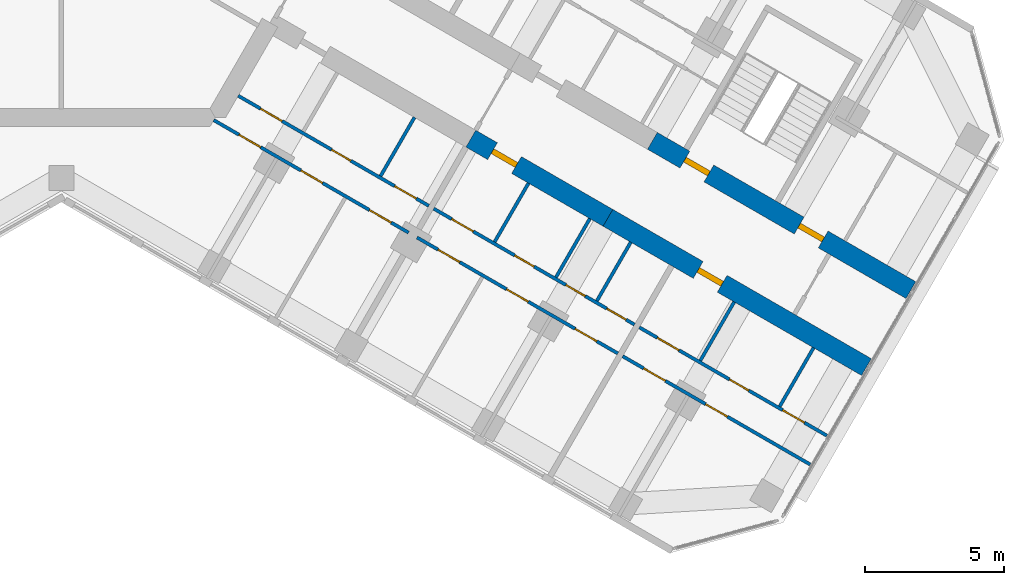
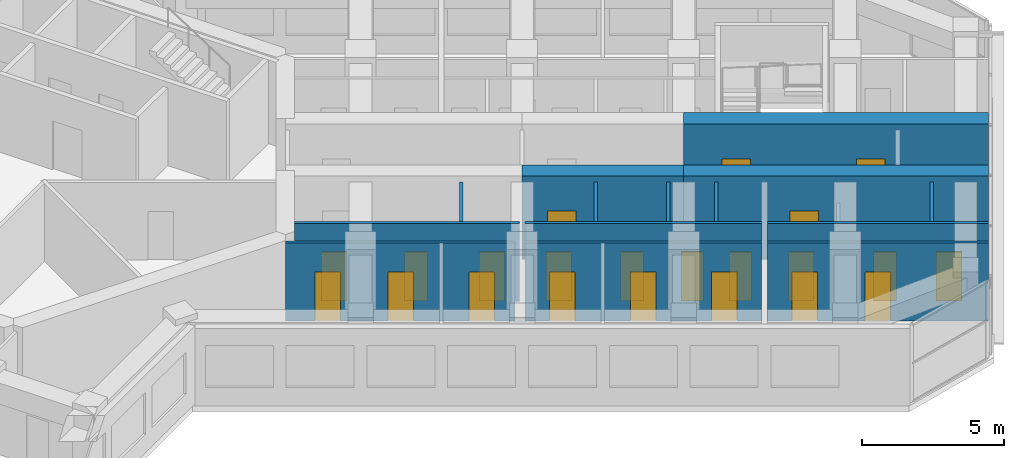
# One storey, part 11 of 16: 22 doors, 15 walls, 22 openings.
"""IFC4 building model written with IfcOpenShell, lengths in metres."""

import ifcopenshell
import ifcopenshell.guid

model = None  # the IFC model being written
_history = None  # IfcOwnerHistory: only IFC2X3 demands one
_inside = {}  # id of a spatial element -> (the spatial element, [elements in it])
_under = {}  # id of a project, library or spatial element -> (it, [spatial elements below it])
_declared = {}  # id of a project -> (the project, [libraries it declares])
_typed = {}  # id of a type object -> (the type object, [elements of that type])
_made_of = {}  # id of a material, layer set ... -> (it, [elements and type objects made of it])


def new_model(schema):
    """Start an empty IFC model of exactly this schema.

    Asked for "IFC4X3", IfcOpenShell would pick the latest addendum, in which some entities
    have other attributes; the version numbers below select the first issue.
    IFC2X3 requires an IfcOwnerHistory on every rooted entity: one is made here for all.
    """
    global model, _history
    if schema == "IFC4X3":
        model = ifcopenshell.file(schema_version=(4, 3, 0, 0))
    else:
        model = ifcopenshell.file(schema=schema)
    _inside.clear()
    _under.clear()
    _declared.clear()
    _typed.clear()
    _made_of.clear()
    _history = None
    if model.schema == "IFC2X3":
        org = make("IfcOrganization", Name="unknown")
        user = make(
            "IfcPersonAndOrganization",
            ThePerson=make("IfcPerson", FamilyName="unknown"),
            TheOrganization=org,
        )
        app = make(
            "IfcApplication",
            ApplicationDeveloper=org,
            Version="unknown",
            ApplicationFullName="unknown",
            ApplicationIdentifier="unknown",
        )
        _history = make(
            "IfcOwnerHistory",
            OwningUser=user,
            OwningApplication=app,
            ChangeAction="ADDED",
            CreationDate=0,
        )
    return model


def make(cls, **values):
    """One entity of the class cls with the attributes given. An attribute that is None is left unset."""
    return model.create_entity(
        cls, **{name: value for name, value in values.items() if value is not None}
    )


def rooted(cls, **values):
    """An entity with a GlobalId (a new one), such as an element, a storey or a relation."""
    return make(cls, GlobalId=ifcopenshell.guid.new(), OwnerHistory=_history, **values)


def si_unit(unit_type, name, prefix=None):
    """IfcSIUnit, for example si_unit("LENGTHUNIT", "METRE", prefix="MILLI")."""
    return make("IfcSIUnit", UnitType=unit_type, Prefix=prefix, Name=name)


def assignment(units):
    """IfcUnitAssignment: the units of a project."""
    return None if units is None else make("IfcUnitAssignment", Units=units)


def point(xyz):
    """IfcCartesianPoint."""
    return None if xyz is None else make("IfcCartesianPoint", Coordinates=xyz)


def direction(xyz):
    """IfcDirection."""
    return None if xyz is None else make("IfcDirection", DirectionRatios=xyz)


def frame(location, z_axis=None, x_axis=None):
    """IfcAxis2Placement3D, a coordinate frame: its origin and axes. An axis left out is left unset."""
    return make(
        "IfcAxis2Placement3D",
        Location=point(location),
        Axis=direction(z_axis),
        RefDirection=direction(x_axis),
    )


def frame_2d(location, x_axis=None):
    """IfcAxis2Placement2D, a coordinate frame in the plane: its origin and x axis."""
    return make(
        "IfcAxis2Placement2D", Location=point(location), RefDirection=direction(x_axis)
    )


def origin():
    """The frame at (0, 0, 0) with its axes left unset."""
    return frame((0.0, 0.0, 0.0))


def place(relative_to, where):
    """IfcLocalPlacement: puts the frame where relative to a parent placement (None: the world)."""
    return make(
        "IfcLocalPlacement", PlacementRelTo=relative_to, RelativePlacement=where
    )


def context(
    kind, dimensions, precision=None, world=None, true_north=None, identifier=None
):
    """IfcGeometricRepresentationContext, for example the 3D "Model" context."""
    return make(
        "IfcGeometricRepresentationContext",
        ContextIdentifier=identifier,
        ContextType=kind,
        CoordinateSpaceDimension=dimensions,
        Precision=precision,
        WorldCoordinateSystem=world,
        TrueNorth=true_north,
    )


def subcontext(parent, identifier, kind, view, scale=None):
    """IfcGeometricRepresentationSubContext, for example "Body" below "Model"."""
    return make(
        "IfcGeometricRepresentationSubContext",
        ContextIdentifier=identifier,
        ContextType=kind,
        ParentContext=parent,
        TargetScale=scale,
        TargetView=view,
    )


def project(units=None, contexts=None):
    """IfcProject with its units and contexts."""
    return rooted(
        "IfcProject",
        Name="project",
        RepresentationContexts=contexts,
        UnitsInContext=assignment(units),
    )


def spatial(cls, under=None, at=None, **own):
    """A site, building, storey or space (cls), placed at a placement, below another one or the project."""
    s = rooted(cls, ObjectPlacement=at, **own)
    if under is not None:
        _under.setdefault(under.id(), (under, []))[1].append(s)
    return s


def profile(cls, at=None, kind="AREA", **sizes):
    """A parametric profile (cls). Its sizes go by their IFC names, for example OverallWidth=200.0."""
    return make(cls, ProfileType=kind, Position=at, **sizes)


def rectangle(**sizes):
    """IfcRectangleProfileDef."""
    return profile("IfcRectangleProfileDef", **sizes)


def extrude(swept, where, along, depth):
    """IfcExtrudedAreaSolid: the profile swept, set in the frame where, extruded along a direction by depth."""
    return make(
        "IfcExtrudedAreaSolid",
        SweptArea=swept,
        Position=where,
        ExtrudedDirection=direction(along),
        Depth=depth,
    )


def shape(context_of_items, identifier, shape_type, items):
    """IfcShapeRepresentation: the items that make up one representation, for example the "Body"."""
    return make(
        "IfcShapeRepresentation",
        ContextOfItems=context_of_items,
        RepresentationIdentifier=identifier,
        RepresentationType=shape_type,
        Items=items,
    )


def material(Name=None, Category=None):
    """IfcMaterial."""
    return make("IfcMaterial", Name=Name, Category=Category)


def layer(
    of_material, thickness, ventilated=None, Name=None, Category=None, Priority=None
):
    """IfcMaterialLayer: one layer of a wall or slab, of a material (None: an air gap)."""
    return make(
        "IfcMaterialLayer",
        Material=of_material,
        LayerThickness=thickness,
        IsVentilated=ventilated,
        Name=Name,
        Category=Category,
        Priority=Priority,
    )


def layer_set(layers, Name=None):
    """IfcMaterialLayerSet."""
    return make("IfcMaterialLayerSet", MaterialLayers=layers, LayerSetName=Name)


def made_of(thing, what):
    """Note that an element or type object is made of a material, layer set ...; save() writes the relation."""
    if what is not None:
        _made_of.setdefault(what.id(), (what, []))[1].append(thing)
    return thing


def type_object(cls, material=None, **own):
    """A type object (cls), such as IfcWallType, which elements share."""
    return made_of(rooted(cls, **own), material)


def element(
    cls,
    number,
    at=None,
    inside=None,
    cuts=None,
    type_object=None,
    material=None,
    context=None,
    identifier="Body",
    shape_type=None,
    held_by="IfcProductDefinitionShape",
    body=None,
    shapes=None,
    **own,
):
    """One element of the class cls, such as IfcWall. Its Tag is "e" and its number.

    at: its placement. inside: the storey or other place that contains it. cuts: it is an
    opening in that element (IfcRelVoidsElement). A single representation is given by context,
    identifier, shape_type and body (its items); several are given by shapes. held_by: the class
    of the entity that holds the representations. save() writes the other relations.
    """
    e = rooted(cls, Tag="e%d" % number, ObjectPlacement=at, **own)
    if body is not None:
        shapes = [shape(context, identifier, shape_type, body)]
    if shapes is not None:
        e.Representation = make(held_by, Representations=shapes)
    if inside is not None:
        _inside.setdefault(inside.id(), (inside, []))[1].append(e)
    if cuts is not None:
        rooted(
            "IfcRelVoidsElement", RelatingBuildingElement=cuts, RelatedOpeningElement=e
        )
    if type_object is not None:
        _typed.setdefault(type_object.id(), (type_object, []))[1].append(e)
    return made_of(e, material)


def fill(opening, filler):
    """IfcRelFillsElement: the door or window that sits in an opening."""
    return rooted(
        "IfcRelFillsElement",
        RelatingOpeningElement=opening,
        RelatedBuildingElement=filler,
    )


def aggregate(whole, parts):
    """IfcRelAggregates: a whole, such as a stair, and the parts it consists of."""
    return rooted("IfcRelAggregates", RelatingObject=whole, RelatedObjects=parts)


def save(model, path):
    """Write the relations noted so far, then the file.

    IfcRelAggregates (storeys below a building ...), IfcRelContainedInSpatialStructure (elements
    in a storey), IfcRelDefinesByType, IfcRelAssociatesMaterial and IfcRelDeclares: one each for
    every whole, place, type object, material and project.
    """
    for whole, parts in _under.values():
        aggregate(whole, parts)
    for where, things in _inside.values():
        rooted(
            "IfcRelContainedInSpatialStructure",
            RelatedElements=things,
            RelatingStructure=where,
        )
    for kind, things in _typed.values():
        rooted("IfcRelDefinesByType", RelatedObjects=things, RelatingType=kind)
    for what, things in _made_of.values():
        rooted("IfcRelAssociatesMaterial", RelatedObjects=things, RelatingMaterial=what)
    for by, libraries in _declared.values():
        rooted("IfcRelDeclares", RelatingContext=by, RelatedDefinitions=libraries)
    model.write(path)


model = new_model("IFC4")

# Units and contexts
model_context = context("Model", 3, precision=1e-05, world=origin(), true_north=direction((0.0, 1.0)))
body_context = subcontext(model_context, "Body", "Model", "MODEL_VIEW")
ifc_project = project(units=[si_unit("LENGTHUNIT", "METRE"), si_unit("AREAUNIT", "SQUARE_METRE"), si_unit("VOLUMEUNIT", "CUBIC_METRE"), si_unit("PLANEANGLEUNIT", "RADIAN"), si_unit("MASSUNIT", "GRAM", prefix="KILO")], contexts=[model_context])

# Site, building, storey
site_placement = place(None, origin())
site = spatial("IfcSite", under=ifc_project, at=site_placement, CompositionType="ELEMENT")
building_placement = place(site_placement, origin())
building = spatial("IfcBuilding", under=site, at=building_placement, Name="Kosmar Iwan School Tower", CompositionType="ELEMENT")
storey_placement = place(building_placement, frame((0.0, 0.0, 201.0)))
storey = spatial("IfcBuildingStorey", under=building, at=storey_placement, Name="L50", CompositionType="ELEMENT", Elevation=201.0)

# Wall, openings, doors
ifc_material_1 = material(Name="Concrete C50/60", Category="concrete")
ifc_layer_1 = layer(ifc_material_1, 0.699951171875)
ifc_layer_set_1 = layer_set([ifc_layer_1], Name="Corridor buttress wall 700")
wall_type_1 = type_object("IfcWallType", Name="Corridor buttress wall 700", PredefinedType="SHEAR", material=ifc_layer_set_1)
wall_1_placement = place(storey_placement, frame((21.281494140625, -10.439453125, 0.0), z_axis=(0.0, 0.0, 1.0), x_axis=(0.866032345022, -0.499987977232, 0.0)))
wall_1 = element("IfcWall", 1, at=wall_1_placement, inside=storey, type_object=wall_type_1, Name="Corridor wall CL bay 3", PredefinedType="SHEAR", context=body_context, shape_type="SweptSolid", body=[
    extrude(rectangle(XDim=10.744873046875, YDim=0.699951171875, at=frame_2d((5.37255859375, 0.0))), origin(), (0.0, 0.0, 1.0), 3.60009765625),
])
opening_1_placement = place(wall_1_placement, frame((6.10009765625, 0.0, 0.0)))
opening_1 = element("IfcOpeningElement", 2, at=opening_1_placement, cuts=wall_1, Name="Opening D1", PredefinedType="OPENING", context=body_context, shape_type="SweptSolid", body=[
    extrude(rectangle(XDim=1.0, YDim=2.10009765625, at=frame_2d((0.5, 1.050048828125))), frame((0.0, 0.362060546875, 0.0), z_axis=(0.0, -1.0, 0.0), x_axis=(1.0, 0.0, 0.0)), (0.0, 0.0, 1.0), 0.723876953125),
])
opening_2_placement = place(wall_1_placement, frame((1.35009765625, 0.0, 0.0)))
opening_2 = element("IfcOpeningElement", 3, at=opening_2_placement, cuts=wall_1, Name="Opening D6", PredefinedType="OPENING", context=body_context, shape_type="SweptSolid", body=[
    extrude(rectangle(XDim=1.0, YDim=2.10009765625, at=frame_2d((0.5, 1.050048828125))), frame((0.0, 0.362060546875, 0.0), z_axis=(0.0, -1.0, 0.0), x_axis=(1.0, 0.0, 0.0)), (0.0, 0.0, 1.0), 0.723876953125),
])
ifc_material_2 = material(Name="Timber fire door in steel frame", Category="steel")
door_type_1 = type_object("IfcDoorType", Name="Flat entrance door 1000x2100", OperationType="SINGLE_SWING_LEFT", PredefinedType="DOOR", material=ifc_material_2)
door_1_placement = place(opening_1_placement, origin())
door_1 = element("IfcDoor", 4, at=door_1_placement, inside=storey, type_object=door_type_1, Name="Flat L50-CL3 entrance door", OperationType="SINGLE_SWING_RIGHT", OverallHeight=2.10009765625, OverallWidth=1.0, PredefinedType="DOOR", context=body_context, shape_type="SweptSolid", body=[
    extrude(rectangle(XDim=1.0, YDim=2.10009765625, at=frame_2d((0.5, 1.050048828125))), frame((0.0, 0.10009765625, 0.0), z_axis=(0.0, -1.0, 0.0), x_axis=(1.0, 0.0, 0.0)), (0.0, 0.0, 1.0), 0.199951171875),
])
fill(opening_1, door_1)
ifc_material_3 = material(Name="Steel fire door", Category="steel")
door_type_2 = type_object("IfcDoorType", Name="Stair door 1000x2100", OperationType="SINGLE_SWING_LEFT", PredefinedType="DOOR", material=ifc_material_3)
door_2_placement = place(opening_2_placement, origin())
door_2 = element("IfcDoor", 5, at=door_2_placement, inside=storey, type_object=door_type_2, Name="Stair WS3 door L50", OperationType="SINGLE_SWING_LEFT", OverallHeight=2.10009765625, OverallWidth=1.0, PredefinedType="DOOR", context=body_context, shape_type="SweptSolid", body=[
    extrude(rectangle(XDim=1.0, YDim=2.10009765625, at=frame_2d((0.5, 1.050048828125))), frame((0.0, 0.10009765625, 0.0), z_axis=(0.0, -1.0, 0.0), x_axis=(1.0, 0.0, 0.0)), (0.0, 0.0, 1.0), 0.199951171875),
])
fill(opening_2, door_2)

# Wall, opening, door
wall_2_placement = place(storey_placement, frame((14.7451171875, -10.360595703125, 0.0), z_axis=(0.0, 0.0, 1.0), x_axis=(0.866015111908, -0.50001782563, 0.0)))
wall_2 = element("IfcWall", 6, at=wall_2_placement, inside=storey, type_object=wall_type_1, Name="Corridor wall CR bay 2", PredefinedType="SHEAR", context=body_context, shape_type="SweptSolid", body=[
    extrude(rectangle(XDim=5.699951171875, YDim=0.699951171875, at=frame_2d((2.85009765625, 0.0))), origin(), (0.0, 0.0, 1.0), 3.60009765625),
])
opening_3_placement = place(wall_2_placement, frame((0.89990234375, 0.0, 0.0)))
opening_3 = element("IfcOpeningElement", 7, at=opening_3_placement, cuts=wall_2, Name="Opening D1", PredefinedType="OPENING", context=body_context, shape_type="SweptSolid", body=[
    extrude(rectangle(XDim=1.0, YDim=2.10009765625, at=frame_2d((0.5, 1.050048828125))), frame((0.0, 0.362060546875, 0.0), z_axis=(0.0, -1.0, 0.0), x_axis=(1.0, 0.0, 0.0)), (0.0, 0.0, 1.0), 0.723876953125),
])
door_3_placement = place(opening_3_placement, origin())
door_3 = element("IfcDoor", 8, at=door_3_placement, inside=storey, type_object=door_type_1, Name="Flat L50-CR2 entrance door", OperationType="SINGLE_SWING_LEFT", OverallHeight=2.10009765625, OverallWidth=1.0, PredefinedType="DOOR", context=body_context, shape_type="SweptSolid", body=[
    extrude(rectangle(XDim=1.0, YDim=2.10009765625, at=frame_2d((0.5, 1.050048828125))), frame((0.0, 0.10009765625, 0.0), z_axis=(0.0, -1.0, 0.0), x_axis=(1.0, 0.0, 0.0)), (0.0, 0.0, 1.0), 0.199951171875),
])
fill(opening_3, door_3)

wall_3_placement = place(storey_placement, frame((19.681396484375, -13.210693359375, 0.0), z_axis=(0.0, 0.0, 1.0), x_axis=(0.866028186671, -0.499995179869, 0.0)))
wall_3 = element("IfcWall", 9, at=wall_3_placement, inside=storey, type_object=wall_type_1, Name="Corridor wall CR bay 3", PredefinedType="SHEAR", context=body_context, shape_type="SweptSolid", body=[
    extrude(rectangle(XDim=10.7451171875, YDim=0.699951171875, at=frame_2d((5.37255859375, 0.0))), origin(), (0.0, 0.0, 1.0), 3.60009765625),
])
opening_4_placement = place(wall_3_placement, frame((3.75, 0.0, 0.0)))
opening_4 = element("IfcOpeningElement", 10, at=opening_4_placement, cuts=wall_3, Name="Opening D1", PredefinedType="OPENING", context=body_context, shape_type="SweptSolid", body=[
    extrude(rectangle(XDim=1.0, YDim=2.10009765625, at=frame_2d((0.5, 1.050048828125))), frame((0.0, 0.362060546875, 0.0), z_axis=(0.0, -1.0, 0.0), x_axis=(1.0, 0.0, 0.0)), (0.0, 0.0, 1.0), 0.723876953125),
])
door_4_placement = place(opening_4_placement, origin())
door_4 = element("IfcDoor", 11, at=door_4_placement, inside=storey, type_object=door_type_1, Name="Flat L50-CR3 entrance door", OperationType="SINGLE_SWING_RIGHT", OverallHeight=2.10009765625, OverallWidth=1.0, PredefinedType="DOOR", context=body_context, shape_type="SweptSolid", body=[
    extrude(rectangle(XDim=1.0, YDim=2.10009765625, at=frame_2d((0.5, 1.050048828125))), frame((0.0, 0.10009765625, 0.0), z_axis=(0.0, -1.0, 0.0), x_axis=(1.0, 0.0, 0.0)), (0.0, 0.0, 1.0), 0.199951171875),
])
fill(opening_4, door_4)

# Wall, openings, doors
ifc_material_4 = material(Name="Gypsum board on steel studs", Category="steel")
ifc_layer_2 = layer(ifc_material_4, 0.1201171875)
ifc_layer_set_2 = layer_set([ifc_layer_2], Name="Dwelling partition 120")
wall_type_2 = type_object("IfcWallType", Name="Dwelling partition 120", PredefinedType="PARTITIONING", material=ifc_layer_set_2)
wall_4_placement = place(storey_placement, frame((6.370361328125, -8.81640625, 0.0), z_axis=(0.0, 0.0, 1.0), x_axis=(0.866031683564, -0.499989122945, 0.0)))
wall_4 = element("IfcWall", 12, at=wall_4_placement, inside=storey, type_object=wall_type_2, Name="Partition L50-CR1-W1", PredefinedType="PARTITIONING", context=body_context, shape_type="SweptSolid", body=[
    extrude(rectangle(XDim=7.925048828125, YDim=0.1201171875, at=frame_2d((3.96240234375, 0.0))), origin(), (0.0, 0.0, 1.0), 3.35009765625),
])
opening_5_placement = place(wall_4_placement, frame((0.925048828125, 0.0, 0.0)))
opening_5 = element("IfcOpeningElement", 13, at=opening_5_placement, cuts=wall_4, Name="Opening D2", PredefinedType="OPENING", context=body_context, shape_type="SweptSolid", body=[
    extrude(rectangle(XDim=0.89990234375, YDim=2.10009765625, at=frame_2d((0.449951171875, 1.050048828125))), frame((0.0, 0.072021484375, 0.0), z_axis=(0.0, -1.0, 0.0), x_axis=(1.0, 0.0, 0.0)), (0.0, 0.0, 1.0), 0.14404296875),
])
opening_6_placement = place(wall_4_placement, frame((3.880126953125, 0.0, 0.0)))
opening_6 = element("IfcOpeningElement", 14, at=opening_6_placement, cuts=wall_4, Name="Opening D3", PredefinedType="OPENING", context=body_context, shape_type="SweptSolid", body=[
    extrude(rectangle(XDim=0.800048828125, YDim=2.10009765625, at=frame_2d((0.39990234375, 1.050048828125))), frame((0.0, 0.072021484375, 0.0), z_axis=(0.0, -1.0, 0.0), x_axis=(1.0, 0.0, 0.0)), (0.0, 0.0, 1.0), 0.14404296875),
])
opening_7_placement = place(wall_4_placement, frame((6.505126953125, 0.0, 0.0)))
opening_7 = element("IfcOpeningElement", 15, at=opening_7_placement, cuts=wall_4, Name="Opening D2", PredefinedType="OPENING", context=body_context, shape_type="SweptSolid", body=[
    extrude(rectangle(XDim=0.89990234375, YDim=2.10009765625, at=frame_2d((0.449951171875, 1.050048828125))), frame((0.0, 0.072021484375, 0.0), z_axis=(0.0, -1.0, 0.0), x_axis=(1.0, 0.0, 0.0)), (0.0, 0.0, 1.0), 0.14404296875),
])
ifc_material_5 = material(Name="Timber door in timber frame", Category="wood")
door_type_3 = type_object("IfcDoorType", Name="Internal door 900x2100", OperationType="SINGLE_SWING_LEFT", PredefinedType="DOOR", material=ifc_material_5)
door_5_placement = place(opening_5_placement, origin())
door_5 = element("IfcDoor", 16, at=door_5_placement, inside=storey, type_object=door_type_3, Name="Entrance hall door L50-CR1-S1", OperationType="SINGLE_SWING_RIGHT", OverallHeight=2.10009765625, OverallWidth=0.89990234375, PredefinedType="DOOR", context=body_context, shape_type="SweptSolid", body=[
    extrude(rectangle(XDim=0.89990234375, YDim=2.10009765625, at=frame_2d((0.449951171875, 1.050048828125))), frame((0.0, 0.02490234375, 0.0), z_axis=(0.0, -1.0, 0.0), x_axis=(1.0, 0.0, 0.0)), (0.0, 0.0, 1.0), 0.050048828125),
])
fill(opening_5, door_5)
door_6_placement = place(opening_7_placement, origin())
door_6 = element("IfcDoor", 17, at=door_6_placement, inside=storey, type_object=door_type_3, Name="Pantry door L50-CR1-S3", OperationType="SINGLE_SWING_RIGHT", OverallHeight=2.10009765625, OverallWidth=0.89990234375, PredefinedType="DOOR", context=body_context, shape_type="SweptSolid", body=[
    extrude(rectangle(XDim=0.89990234375, YDim=2.10009765625, at=frame_2d((0.449951171875, 1.050048828125))), frame((0.0, 0.02490234375, 0.0), z_axis=(0.0, -1.0, 0.0), x_axis=(1.0, 0.0, 0.0)), (0.0, 0.0, 1.0), 0.050048828125),
])
fill(opening_7, door_6)
ifc_material_6 = material(Name="Timber door in timber frame", Category="wood")
door_type_4 = type_object("IfcDoorType", Name="Sanitary room door 800x2100", OperationType="SINGLE_SWING_LEFT", PredefinedType="DOOR", material=ifc_material_6)
door_7_placement = place(opening_6_placement, origin())
door_7 = element("IfcDoor", 18, at=door_7_placement, inside=storey, type_object=door_type_4, Name="Bathroom door L50-CR1-S2", OperationType="SINGLE_SWING_LEFT", OverallHeight=2.10009765625, OverallWidth=0.800048828125, PredefinedType="DOOR", context=body_context, shape_type="SweptSolid", body=[
    extrude(rectangle(XDim=0.800048828125, YDim=2.10009765625, at=frame_2d((0.39990234375, 1.050048828125))), frame((0.0, 0.02490234375, 0.0), z_axis=(0.0, -1.0, 0.0), x_axis=(1.0, 0.0, 0.0)), (0.0, 0.0, 1.0), 0.050048828125),
])
fill(opening_6, door_7)

wall_5_placement = place(storey_placement, frame((5.48876953125, -9.693115234375, 0.0), z_axis=(0.0, 0.0, 1.0), x_axis=(0.866025472755, -0.499999880539, 0.0)))
wall_5 = element("IfcWall", 19, at=wall_5_placement, inside=storey, type_object=wall_type_2, Name="Partition L50-CR1-W2", PredefinedType="PARTITIONING", context=body_context, shape_type="SweptSolid", body=[
    extrude(rectangle(XDim=8.10009765625, YDim=0.1201171875, at=frame_2d((4.050048828125, 0.0))), origin(), (0.0, 0.0, 1.0), 3.35009765625),
])
opening_8_placement = place(wall_5_placement, frame((1.050048828125, 0.0, 0.0)))
opening_8 = element("IfcOpeningElement", 20, at=opening_8_placement, cuts=wall_5, Name="Opening D2", PredefinedType="OPENING", context=body_context, shape_type="SweptSolid", body=[
    extrude(rectangle(XDim=0.89990234375, YDim=2.10009765625, at=frame_2d((0.449951171875, 1.050048828125))), frame((0.0, 0.072021484375, 0.0), z_axis=(0.0, -1.0, 0.0), x_axis=(1.0, 0.0, 0.0)), (0.0, 0.0, 1.0), 0.14404296875),
])
opening_9_placement = place(wall_5_placement, frame((3.625, 0.0, 0.0)))
opening_9 = element("IfcOpeningElement", 21, at=opening_9_placement, cuts=wall_5, Name="Opening D2", PredefinedType="OPENING", context=body_context, shape_type="SweptSolid", body=[
    extrude(rectangle(XDim=0.89990234375, YDim=2.10009765625, at=frame_2d((0.449951171875, 1.050048828125))), frame((0.0, 0.072021484375, 0.0), z_axis=(0.0, -1.0, 0.0), x_axis=(1.0, 0.0, 0.0)), (0.0, 0.0, 1.0), 0.14404296875),
])
opening_10_placement = place(wall_5_placement, frame((6.47509765625, 0.0, 0.0)))
opening_10 = element("IfcOpeningElement", 22, at=opening_10_placement, cuts=wall_5, Name="Opening D2", PredefinedType="OPENING", context=body_context, shape_type="SweptSolid", body=[
    extrude(rectangle(XDim=0.89990234375, YDim=2.10009765625, at=frame_2d((0.449951171875, 1.050048828125))), frame((0.0, 0.072021484375, 0.0), z_axis=(0.0, -1.0, 0.0), x_axis=(1.0, 0.0, 0.0)), (0.0, 0.0, 1.0), 0.14404296875),
])
door_8_placement = place(opening_8_placement, origin())
door_8 = element("IfcDoor", 23, at=door_8_placement, inside=storey, type_object=door_type_3, Name="Living room and kitchen door L50-CR1-F1", OperationType="SINGLE_SWING_LEFT", OverallHeight=2.10009765625, OverallWidth=0.89990234375, PredefinedType="DOOR", context=body_context, shape_type="SweptSolid", body=[
    extrude(rectangle(XDim=0.89990234375, YDim=2.10009765625, at=frame_2d((0.449951171875, 1.050048828125))), frame((0.0, 0.02490234375, 0.0), z_axis=(0.0, -1.0, 0.0), x_axis=(1.0, 0.0, 0.0)), (0.0, 0.0, 1.0), 0.050048828125),
])
fill(opening_8, door_8)
door_9_placement = place(opening_9_placement, origin())
door_9 = element("IfcDoor", 24, at=door_9_placement, inside=storey, type_object=door_type_3, Name="Study door L50-CR1-F2", OperationType="SINGLE_SWING_LEFT", OverallHeight=2.10009765625, OverallWidth=0.89990234375, PredefinedType="DOOR", context=body_context, shape_type="SweptSolid", body=[
    extrude(rectangle(XDim=0.89990234375, YDim=2.10009765625, at=frame_2d((0.449951171875, 1.050048828125))), frame((0.0, 0.02490234375, 0.0), z_axis=(0.0, -1.0, 0.0), x_axis=(1.0, 0.0, 0.0)), (0.0, 0.0, 1.0), 0.050048828125),
])
fill(opening_9, door_9)
door_10_placement = place(opening_10_placement, origin())
door_10 = element("IfcDoor", 25, at=door_10_placement, inside=storey, type_object=door_type_3, Name="Bedroom 1 door L50-CR1-F3", OperationType="SINGLE_SWING_RIGHT", OverallHeight=2.10009765625, OverallWidth=0.89990234375, PredefinedType="DOOR", context=body_context, shape_type="SweptSolid", body=[
    extrude(rectangle(XDim=0.89990234375, YDim=2.10009765625, at=frame_2d((0.449951171875, 1.050048828125))), frame((0.0, 0.02490234375, 0.0), z_axis=(0.0, -1.0, 0.0), x_axis=(1.0, 0.0, 0.0)), (0.0, 0.0, 1.0), 0.050048828125),
])
fill(opening_10, door_10)

# Wall
wall_6_placement = place(storey_placement, frame((12.716796875, -9.59375, 0.0), z_axis=(0.0, 0.0, 1.0), x_axis=(-0.500002508028, -0.866023955769, 0.0)))
element("IfcWall", 26, at=wall_6_placement, inside=storey, type_object=wall_type_2, Name="Partition L50-CR1-Y2", PredefinedType="PARTITIONING", context=body_context, shape_type="SweptSolid", body=[
    extrude(rectangle(XDim=2.43994140625, YDim=0.1201171875, at=frame_2d((1.219970703125, 0.0))), origin(), (0.0, 0.0, 1.0), 3.35009765625),
])

# Wall, openings, doors
wall_7_placement = place(storey_placement, frame((13.40673828125, -12.87890625, 0.0), z_axis=(0.0, 0.0, 1.0), x_axis=(0.866039519639, -0.499975549825, 0.0)))
wall_7 = element("IfcWall", 27, at=wall_7_placement, inside=storey, type_object=wall_type_2, Name="Partition L50-CR2-W1", PredefinedType="PARTITIONING", context=body_context, shape_type="SweptSolid", body=[
    extrude(rectangle(XDim=8.35009765625, YDim=0.1201171875, at=frame_2d((4.175048828125, 0.0))), origin(), (0.0, 0.0, 1.0), 3.35009765625),
])
opening_11_placement = place(wall_7_placement, frame((0.75, 0.0, 0.0)))
opening_11 = element("IfcOpeningElement", 28, at=opening_11_placement, cuts=wall_7, Name="Opening D2", PredefinedType="OPENING", context=body_context, shape_type="SweptSolid", body=[
    extrude(rectangle(XDim=0.89990234375, YDim=2.10009765625, at=frame_2d((0.449951171875, 1.050048828125))), frame((0.0, 0.072021484375, 0.0), z_axis=(0.0, -1.0, 0.0), x_axis=(1.0, 0.0, 0.0)), (0.0, 0.0, 1.0), 0.14404296875),
])
opening_12_placement = place(wall_7_placement, frame((3.375, 0.0, 0.0)))
opening_12 = element("IfcOpeningElement", 29, at=opening_12_placement, cuts=wall_7, Name="Opening D3", PredefinedType="OPENING", context=body_context, shape_type="SweptSolid", body=[
    extrude(rectangle(XDim=0.800048828125, YDim=2.10009765625, at=frame_2d((0.39990234375, 1.050048828125))), frame((0.0, 0.072021484375, 0.0), z_axis=(0.0, -1.0, 0.0), x_axis=(1.0, 0.0, 0.0)), (0.0, 0.0, 1.0), 0.14404296875),
])
opening_13_placement = place(wall_7_placement, frame((5.5, 0.0, 0.0)))
opening_13 = element("IfcOpeningElement", 30, at=opening_13_placement, cuts=wall_7, Name="Opening D3", PredefinedType="OPENING", context=body_context, shape_type="SweptSolid", body=[
    extrude(rectangle(XDim=0.800048828125, YDim=2.10009765625, at=frame_2d((0.39990234375, 1.050048828125))), frame((0.0, 0.072021484375, 0.0), z_axis=(0.0, -1.0, 0.0), x_axis=(1.0, 0.0, 0.0)), (0.0, 0.0, 1.0), 0.14404296875),
])
opening_14_placement = place(wall_7_placement, frame((7.199951171875, 0.0, 0.0)))
opening_14 = element("IfcOpeningElement", 31, at=opening_14_placement, cuts=wall_7, Name="Opening D3", PredefinedType="OPENING", context=body_context, shape_type="SweptSolid", body=[
    extrude(rectangle(XDim=0.800048828125, YDim=2.10009765625, at=frame_2d((0.39990234375, 1.050048828125))), frame((0.0, 0.072021484375, 0.0), z_axis=(0.0, -1.0, 0.0), x_axis=(1.0, 0.0, 0.0)), (0.0, 0.0, 1.0), 0.14404296875),
])
door_11_placement = place(opening_11_placement, origin())
door_11 = element("IfcDoor", 32, at=door_11_placement, inside=storey, type_object=door_type_3, Name="Entrance hall door L50-CR2-S1", OperationType="SINGLE_SWING_RIGHT", OverallHeight=2.10009765625, OverallWidth=0.89990234375, PredefinedType="DOOR", context=body_context, shape_type="SweptSolid", body=[
    extrude(rectangle(XDim=0.89990234375, YDim=2.10009765625, at=frame_2d((0.449951171875, 1.050048828125))), frame((0.0, 0.02490234375, 0.0), z_axis=(0.0, -1.0, 0.0), x_axis=(1.0, 0.0, 0.0)), (0.0, 0.0, 1.0), 0.050048828125),
])
fill(opening_11, door_11)
door_12_placement = place(opening_12_placement, origin())
door_12 = element("IfcDoor", 33, at=door_12_placement, inside=storey, type_object=door_type_4, Name="Bathroom door L50-CR2-S2", OperationType="SINGLE_SWING_LEFT", OverallHeight=2.10009765625, OverallWidth=0.800048828125, PredefinedType="DOOR", context=body_context, shape_type="SweptSolid", body=[
    extrude(rectangle(XDim=0.800048828125, YDim=2.10009765625, at=frame_2d((0.39990234375, 1.050048828125))), frame((0.0, 0.02490234375, 0.0), z_axis=(0.0, -1.0, 0.0), x_axis=(1.0, 0.0, 0.0)), (0.0, 0.0, 1.0), 0.050048828125),
])
fill(opening_12, door_12)
door_13_placement = place(opening_13_placement, origin())
door_13 = element("IfcDoor", 34, at=door_13_placement, inside=storey, type_object=door_type_4, Name="Grandparents' shower room door L50-CR2-S3", OperationType="SINGLE_SWING_RIGHT", OverallHeight=2.10009765625, OverallWidth=0.800048828125, PredefinedType="DOOR", context=body_context, shape_type="SweptSolid", body=[
    extrude(rectangle(XDim=0.800048828125, YDim=2.10009765625, at=frame_2d((0.39990234375, 1.050048828125))), frame((0.0, 0.02490234375, 0.0), z_axis=(0.0, -1.0, 0.0), x_axis=(1.0, 0.0, 0.0)), (0.0, 0.0, 1.0), 0.050048828125),
])
fill(opening_13, door_13)
door_14_placement = place(opening_14_placement, origin())
door_14 = element("IfcDoor", 35, at=door_14_placement, inside=storey, type_object=door_type_4, Name="Shower room door L50-CR2-S4", OperationType="SINGLE_SWING_RIGHT", OverallHeight=2.10009765625, OverallWidth=0.800048828125, PredefinedType="DOOR", context=body_context, shape_type="SweptSolid", body=[
    extrude(rectangle(XDim=0.800048828125, YDim=2.10009765625, at=frame_2d((0.39990234375, 1.050048828125))), frame((0.0, 0.02490234375, 0.0), z_axis=(0.0, -1.0, 0.0), x_axis=(1.0, 0.0, 0.0)), (0.0, 0.0, 1.0), 0.050048828125),
])
fill(opening_14, door_14)

wall_8_placement = place(storey_placement, frame((12.806640625, -13.91796875, 0.0), z_axis=(0.0, 0.0, 1.0), x_axis=(0.866026859388, -0.499997478812, 0.0)))
wall_8 = element("IfcWall", 36, at=wall_8_placement, inside=storey, type_object=wall_type_2, Name="Partition L50-CR2-W2", PredefinedType="PARTITIONING", context=body_context, shape_type="SweptSolid", body=[
    extrude(rectangle(XDim=8.35009765625, YDim=0.1201171875, at=frame_2d((4.175048828125, 0.0))), origin(), (0.0, 0.0, 1.0), 3.35009765625),
])
opening_15_placement = place(wall_8_placement, frame((0.875, 0.0, 0.0)))
opening_15 = element("IfcOpeningElement", 37, at=opening_15_placement, cuts=wall_8, Name="Opening D2", PredefinedType="OPENING", context=body_context, shape_type="SweptSolid", body=[
    extrude(rectangle(XDim=0.89990234375, YDim=2.10009765625, at=frame_2d((0.449951171875, 1.050048828125))), frame((0.0, 0.072021484375, 0.0), z_axis=(0.0, -1.0, 0.0), x_axis=(1.0, 0.0, 0.0)), (0.0, 0.0, 1.0), 0.14404296875),
])
opening_16_placement = place(wall_8_placement, frame((3.72509765625, 0.0, 0.0)))
opening_16 = element("IfcOpeningElement", 38, at=opening_16_placement, cuts=wall_8, Name="Opening D2", PredefinedType="OPENING", context=body_context, shape_type="SweptSolid", body=[
    extrude(rectangle(XDim=0.89990234375, YDim=2.10009765625, at=frame_2d((0.449951171875, 1.050048828125))), frame((0.0, 0.072021484375, 0.0), z_axis=(0.0, -1.0, 0.0), x_axis=(1.0, 0.0, 0.0)), (0.0, 0.0, 1.0), 0.14404296875),
])
opening_17_placement = place(wall_8_placement, frame((6.574951171875, 0.0, 0.0)))
opening_17 = element("IfcOpeningElement", 39, at=opening_17_placement, cuts=wall_8, Name="Opening D2", PredefinedType="OPENING", context=body_context, shape_type="SweptSolid", body=[
    extrude(rectangle(XDim=0.89990234375, YDim=2.10009765625, at=frame_2d((0.449951171875, 1.050048828125))), frame((0.0, 0.072021484375, 0.0), z_axis=(0.0, -1.0, 0.0), x_axis=(1.0, 0.0, 0.0)), (0.0, 0.0, 1.0), 0.14404296875),
])
door_15_placement = place(opening_15_placement, origin())
door_15 = element("IfcDoor", 40, at=door_15_placement, inside=storey, type_object=door_type_3, Name="Grandparents' suite door L50-CR2-F1", OperationType="SINGLE_SWING_LEFT", OverallHeight=2.10009765625, OverallWidth=0.89990234375, PredefinedType="DOOR", context=body_context, shape_type="SweptSolid", body=[
    extrude(rectangle(XDim=0.89990234375, YDim=2.10009765625, at=frame_2d((0.449951171875, 1.050048828125))), frame((0.0, 0.02490234375, 0.0), z_axis=(0.0, -1.0, 0.0), x_axis=(1.0, 0.0, 0.0)), (0.0, 0.0, 1.0), 0.050048828125),
])
fill(opening_15, door_15)
door_16_placement = place(opening_16_placement, origin())
door_16 = element("IfcDoor", 41, at=door_16_placement, inside=storey, type_object=door_type_3, Name="Living room and kitchen door L50-CR2-F2", OperationType="SINGLE_SWING_RIGHT", OverallHeight=2.10009765625, OverallWidth=0.89990234375, PredefinedType="DOOR", context=body_context, shape_type="SweptSolid", body=[
    extrude(rectangle(XDim=0.89990234375, YDim=2.10009765625, at=frame_2d((0.449951171875, 1.050048828125))), frame((0.0, 0.02490234375, 0.0), z_axis=(0.0, -1.0, 0.0), x_axis=(1.0, 0.0, 0.0)), (0.0, 0.0, 1.0), 0.050048828125),
])
fill(opening_16, door_16)
door_17_placement = place(opening_17_placement, origin())
door_17 = element("IfcDoor", 42, at=door_17_placement, inside=storey, type_object=door_type_3, Name="Bedroom 1 door L50-CR2-F3", OperationType="SINGLE_SWING_RIGHT", OverallHeight=2.10009765625, OverallWidth=0.89990234375, PredefinedType="DOOR", context=body_context, shape_type="SweptSolid", body=[
    extrude(rectangle(XDim=0.89990234375, YDim=2.10009765625, at=frame_2d((0.449951171875, 1.050048828125))), frame((0.0, 0.02490234375, 0.0), z_axis=(0.0, -1.0, 0.0), x_axis=(1.0, 0.0, 0.0)), (0.0, 0.0, 1.0), 0.050048828125),
])
fill(opening_17, door_17)

# Walls
wall_9_placement = place(storey_placement, frame((16.82177734375, -11.963623046875, 0.0), z_axis=(0.0, 0.0, 1.0), x_axis=(-0.499959183527, -0.866048967903, 0.0)))
element("IfcWall", 43, at=wall_9_placement, inside=storey, type_object=wall_type_2, Name="Partition L50-CR2-Y1", PredefinedType="PARTITIONING", context=body_context, shape_type="SweptSolid", body=[
    extrude(rectangle(XDim=2.440185546875, YDim=0.1201171875, at=frame_2d((1.22021484375, 0.0))), origin(), (0.0, 0.0, 1.0), 3.35009765625),
])
wall_10_placement = place(storey_placement, frame((19.0302734375, -13.23876953125, 0.0), z_axis=(0.0, 0.0, 1.0), x_axis=(-0.500002508028, -0.866023955769, 0.0)))
element("IfcWall", 44, at=wall_10_placement, inside=storey, type_object=wall_type_2, Name="Partition L50-CR2-Y2", PredefinedType="PARTITIONING", context=body_context, shape_type="SweptSolid", body=[
    extrude(rectangle(XDim=2.43994140625, YDim=0.1201171875, at=frame_2d((1.219970703125, 0.0))), origin(), (0.0, 0.0, 1.0), 3.35009765625),
])
wall_11_placement = place(storey_placement, frame((20.50244140625, -14.088623046875, 0.0), z_axis=(0.0, 0.0, 1.0), x_axis=(-0.499959183527, -0.866048967903, 0.0)))
element("IfcWall", 45, at=wall_11_placement, inside=storey, type_object=wall_type_2, Name="Partition L50-CR2-Y3", PredefinedType="PARTITIONING", context=body_context, shape_type="SweptSolid", body=[
    extrude(rectangle(XDim=2.440185546875, YDim=0.1201171875, at=frame_2d((1.22021484375, 0.0))), origin(), (0.0, 0.0, 1.0), 3.35009765625),
])

# Wall, openings, doors
wall_12_placement = place(storey_placement, frame((20.811279296875, -17.15380859375, 0.0), z_axis=(0.0, 0.0, 1.0), x_axis=(0.866029639064, -0.499992664208, 0.0)))
wall_12 = element("IfcWall", 46, at=wall_12_placement, inside=storey, type_object=wall_type_2, Name="Partition L50-CR3-W1", PredefinedType="PARTITIONING", context=body_context, shape_type="SweptSolid", body=[
    extrude(rectangle(XDim=7.794921875, YDim=0.1201171875, at=frame_2d((3.8974609375, 0.0))), origin(), (0.0, 0.0, 1.0), 3.35009765625),
])
opening_18_placement = place(wall_12_placement, frame((0.75, 0.0, 0.0)))
opening_18 = element("IfcOpeningElement", 47, at=opening_18_placement, cuts=wall_12, Name="Opening D2", PredefinedType="OPENING", context=body_context, shape_type="SweptSolid", body=[
    extrude(rectangle(XDim=0.89990234375, YDim=2.10009765625, at=frame_2d((0.449951171875, 1.050048828125))), frame((0.0, 0.072021484375, 0.0), z_axis=(0.0, -1.0, 0.0), x_axis=(1.0, 0.0, 0.0)), (0.0, 0.0, 1.0), 0.14404296875),
])
opening_19_placement = place(wall_12_placement, frame((3.75, 0.0, 0.0)))
opening_19 = element("IfcOpeningElement", 48, at=opening_19_placement, cuts=wall_12, Name="Opening D3", PredefinedType="OPENING", context=body_context, shape_type="SweptSolid", body=[
    extrude(rectangle(XDim=0.800048828125, YDim=2.10009765625, at=frame_2d((0.39990234375, 1.050048828125))), frame((0.0, 0.072021484375, 0.0), z_axis=(0.0, -1.0, 0.0), x_axis=(1.0, 0.0, 0.0)), (0.0, 0.0, 1.0), 0.14404296875),
])
opening_20_placement = place(wall_12_placement, frame((5.9599609375, 0.0, 0.0)))
opening_20 = element("IfcOpeningElement", 49, at=opening_20_placement, cuts=wall_12, Name="Opening D2", PredefinedType="OPENING", context=body_context, shape_type="SweptSolid", body=[
    extrude(rectangle(XDim=0.89990234375, YDim=2.10009765625, at=frame_2d((0.449951171875, 1.050048828125))), frame((0.0, 0.072021484375, 0.0), z_axis=(0.0, -1.0, 0.0), x_axis=(1.0, 0.0, 0.0)), (0.0, 0.0, 1.0), 0.14404296875),
])
door_18_placement = place(opening_18_placement, origin())
door_18 = element("IfcDoor", 50, at=door_18_placement, inside=storey, type_object=door_type_3, Name="Entrance hall door L50-CR3-S1", OperationType="SINGLE_SWING_LEFT", OverallHeight=2.10009765625, OverallWidth=0.89990234375, PredefinedType="DOOR", context=body_context, shape_type="SweptSolid", body=[
    extrude(rectangle(XDim=0.89990234375, YDim=2.10009765625, at=frame_2d((0.449951171875, 1.050048828125))), frame((0.0, 0.02490234375, 0.0), z_axis=(0.0, -1.0, 0.0), x_axis=(1.0, 0.0, 0.0)), (0.0, 0.0, 1.0), 0.050048828125),
])
fill(opening_18, door_18)
door_19_placement = place(opening_20_placement, origin())
door_19 = element("IfcDoor", 51, at=door_19_placement, inside=storey, type_object=door_type_3, Name="Pantry door L50-CR3-S3", OperationType="SINGLE_SWING_LEFT", OverallHeight=2.10009765625, OverallWidth=0.89990234375, PredefinedType="DOOR", context=body_context, shape_type="SweptSolid", body=[
    extrude(rectangle(XDim=0.89990234375, YDim=2.10009765625, at=frame_2d((0.449951171875, 1.050048828125))), frame((0.0, 0.02490234375, 0.0), z_axis=(0.0, -1.0, 0.0), x_axis=(1.0, 0.0, 0.0)), (0.0, 0.0, 1.0), 0.050048828125),
])
fill(opening_20, door_19)
door_20_placement = place(opening_19_placement, origin())
door_20 = element("IfcDoor", 52, at=door_20_placement, inside=storey, type_object=door_type_4, Name="Bathroom door L50-CR3-S2", OperationType="SINGLE_SWING_RIGHT", OverallHeight=2.10009765625, OverallWidth=0.800048828125, PredefinedType="DOOR", context=body_context, shape_type="SweptSolid", body=[
    extrude(rectangle(XDim=0.800048828125, YDim=2.10009765625, at=frame_2d((0.39990234375, 1.050048828125))), frame((0.0, 0.02490234375, 0.0), z_axis=(0.0, -1.0, 0.0), x_axis=(1.0, 0.0, 0.0)), (0.0, 0.0, 1.0), 0.050048828125),
])
fill(opening_19, door_20)

wall_13_placement = place(storey_placement, frame((20.211181640625, -18.193115234375, 0.0), z_axis=(0.0, 0.0, 1.0), x_axis=(0.866029639064, -0.499992664208, 0.0)))
wall_13 = element("IfcWall", 53, at=wall_13_placement, inside=storey, type_object=wall_type_2, Name="Partition L50-CR3-W2", PredefinedType="PARTITIONING", context=body_context, shape_type="SweptSolid", body=[
    extrude(rectangle(XDim=7.794921875, YDim=0.1201171875, at=frame_2d((3.8974609375, 0.0))), origin(), (0.0, 0.0, 1.0), 3.35009765625),
])
opening_21_placement = place(wall_13_placement, frame((0.875, 0.0, 0.0)))
opening_21 = element("IfcOpeningElement", 54, at=opening_21_placement, cuts=wall_13, Name="Opening D2", PredefinedType="OPENING", context=body_context, shape_type="SweptSolid", body=[
    extrude(rectangle(XDim=0.89990234375, YDim=2.10009765625, at=frame_2d((0.449951171875, 1.050048828125))), frame((0.0, 0.072021484375, 0.0), z_axis=(0.0, -1.0, 0.0), x_axis=(1.0, 0.0, 0.0)), (0.0, 0.0, 1.0), 0.14404296875),
])
opening_22_placement = place(wall_13_placement, frame((3.449951171875, 0.0, 0.0)))
opening_22 = element("IfcOpeningElement", 55, at=opening_22_placement, cuts=wall_13, Name="Opening D2", PredefinedType="OPENING", context=body_context, shape_type="SweptSolid", body=[
    extrude(rectangle(XDim=0.89990234375, YDim=2.10009765625, at=frame_2d((0.449951171875, 1.050048828125))), frame((0.0, 0.072021484375, 0.0), z_axis=(0.0, -1.0, 0.0), x_axis=(1.0, 0.0, 0.0)), (0.0, 0.0, 1.0), 0.14404296875),
])
door_21_placement = place(opening_21_placement, origin())
door_21 = element("IfcDoor", 56, at=door_21_placement, inside=storey, type_object=door_type_3, Name="Bedroom 1 door L50-CR3-F1", OperationType="SINGLE_SWING_LEFT", OverallHeight=2.10009765625, OverallWidth=0.89990234375, PredefinedType="DOOR", context=body_context, shape_type="SweptSolid", body=[
    extrude(rectangle(XDim=0.89990234375, YDim=2.10009765625, at=frame_2d((0.449951171875, 1.050048828125))), frame((0.0, 0.02490234375, 0.0), z_axis=(0.0, -1.0, 0.0), x_axis=(1.0, 0.0, 0.0)), (0.0, 0.0, 1.0), 0.050048828125),
])
fill(opening_21, door_21)
door_22_placement = place(opening_22_placement, origin())
door_22 = element("IfcDoor", 57, at=door_22_placement, inside=storey, type_object=door_type_3, Name="Living room and kitchen door L50-CR3-F2", OperationType="SINGLE_SWING_RIGHT", OverallHeight=2.10009765625, OverallWidth=0.89990234375, PredefinedType="DOOR", context=body_context, shape_type="SweptSolid", body=[
    extrude(rectangle(XDim=0.89990234375, YDim=2.10009765625, at=frame_2d((0.449951171875, 1.050048828125))), frame((0.0, 0.02490234375, 0.0), z_axis=(0.0, -1.0, 0.0), x_axis=(1.0, 0.0, 0.0)), (0.0, 0.0, 1.0), 0.050048828125),
])
fill(opening_22, door_22)

# Walls
wall_14_placement = place(storey_placement, frame((24.226318359375, -16.23876953125, 0.0), z_axis=(0.0, 0.0, 1.0), x_axis=(-0.500002508028, -0.866023955769, 0.0)))
element("IfcWall", 58, at=wall_14_placement, inside=storey, type_object=wall_type_2, Name="Partition L50-CR3-Y1", PredefinedType="PARTITIONING", context=body_context, shape_type="SweptSolid", body=[
    extrude(rectangle(XDim=2.43994140625, YDim=0.1201171875, at=frame_2d((1.219970703125, 0.0))), origin(), (0.0, 0.0, 1.0), 2.449951171875),
])
wall_15_placement = place(storey_placement, frame((27.084228515625, -17.888671875, 0.0), z_axis=(0.0, 0.0, 1.0), x_axis=(-0.499959183527, -0.866048967903, 0.0)))
element("IfcWall", 59, at=wall_15_placement, inside=storey, type_object=wall_type_2, Name="Partition L50-CR3-Y2", PredefinedType="PARTITIONING", context=body_context, shape_type="SweptSolid", body=[
    extrude(rectangle(XDim=2.440185546875, YDim=0.1201171875, at=frame_2d((1.22021484375, 0.0))), origin(), (0.0, 0.0, 1.0), 3.35009765625),
])

save(model, "model.ifc")
